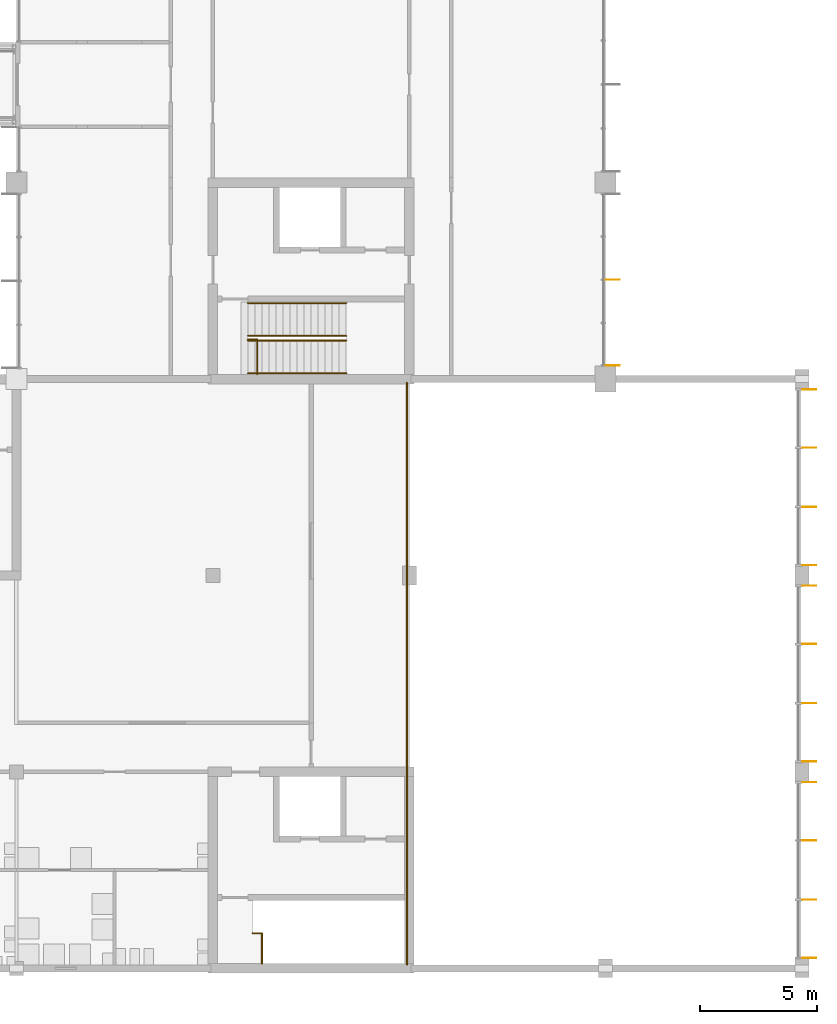
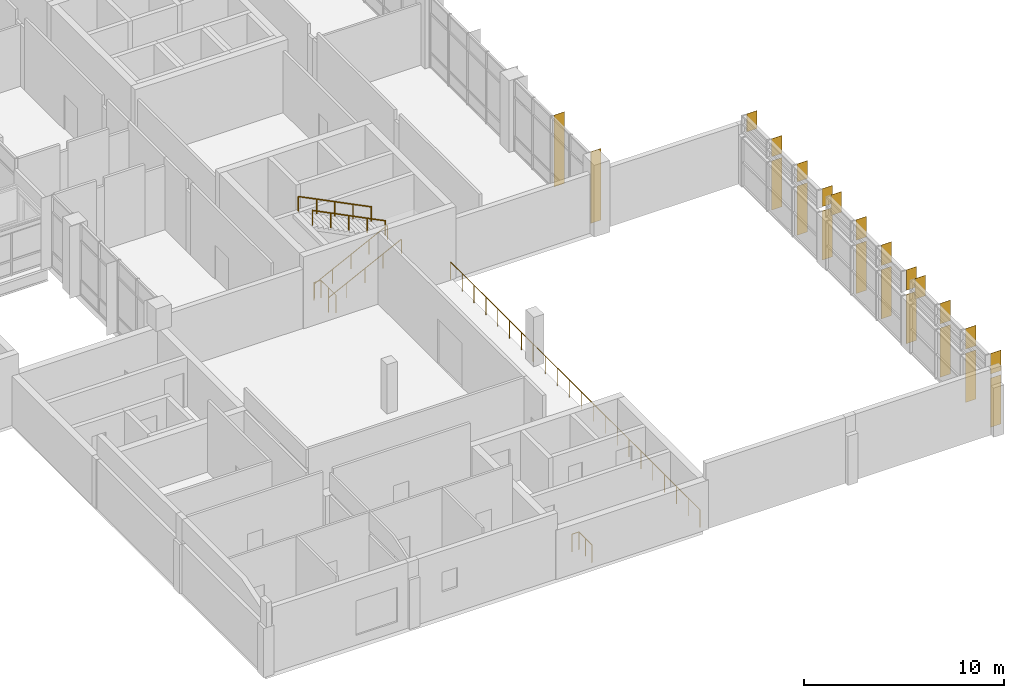
# One storey, part 62 of 70: 23 shading devices, 9 railings.
"""IFC4 building model written with IfcOpenShell, lengths in metres."""

from ifc_helpers import new_model, si_unit, direction, frame, origin, origin_2d, place, context, subcontext, project, spatial, rectangle, circle, extrude, material, layer, layer_set, type_object, element, save


model = new_model("IFC4")

# Units and contexts
model_context = context("Model", 3, precision=1e-05, world=origin(), true_north=direction((0.0, 1.0)))
body_context = subcontext(model_context, "Body", "Model", "MODEL_VIEW")
ifc_project = project(units=[si_unit("LENGTHUNIT", "METRE"), si_unit("AREAUNIT", "SQUARE_METRE"), si_unit("VOLUMEUNIT", "CUBIC_METRE"), si_unit("PLANEANGLEUNIT", "RADIAN"), si_unit("MASSUNIT", "GRAM", prefix="KILO")], contexts=[model_context])

# Site, building, storey
site_placement = place(None, origin())
site = spatial("IfcSite", under=ifc_project, at=site_placement, CompositionType="ELEMENT")
building_placement = place(site_placement, origin())
building = spatial("IfcBuilding", under=site, at=building_placement, Name="Hlaing Beacon Police Headquarters", CompositionType="ELEMENT")
storey_placement = place(building_placement, frame((0.0, 0.0, 5.39990234375)))
storey = spatial("IfcBuildingStorey", under=building, at=storey_placement, Name="L01", CompositionType="ELEMENT", Elevation=5.39990234375)

# Shading devices
ifc_material_1 = material(Name="Aluminium 6063-T5 anodised", Category="aluminium")
ifc_layer = layer(ifc_material_1, 0.011962890625)
ifc_layer_set = layer_set([ifc_layer], Name="Aluminium 6063-T5 anodised")
shading_device_type = type_object("IfcShadingDeviceType", Name="Aluminium fin 12x600", PredefinedType="JALOUSIE", material=ifc_layer_set)
for number, where, z_axis, x_axis, name in (
    (1, (134.699951171875, 8.840087890625, 0.0), (0.0, 0.0, 1.0), (0.0, 1.0, 0.0), "Fin L01 E001.0"),
    (2, (134.699951171875, 11.333251953125, 0.0), (0.0, 0.0, 1.0), (0.0, 1.0, 0.0), "Fin L01 E001.1"),
    (3, (134.699951171875, 13.86669921875, 0.0), (0.0, 0.0, 1.0), (0.0, 1.0, 0.0), "Fin L01 E001.2"),
):
    element("IfcShadingDevice", number, at=place(storey_placement, frame(where, z_axis=z_axis, x_axis=x_axis)), inside=storey, type_object=shading_device_type, Name=name, PredefinedType="JALOUSIE", context=body_context, shape_type="SweptSolid", body=[
        extrude(rectangle(XDim=0.011962890625, YDim=0.60009765625, at=origin_2d()), origin(), (0.0, 0.0, 1.0), 3.0),
    ])
for number, where, z_axis, x_axis, name in (
    (4, (134.699951171875, 8.840087890625, 3.254150390625), (0.0, 0.0, 1.0), (0.0, 1.0, 0.0), "Fin L01 E002.0"),
    (5, (134.699951171875, 11.333251953125, 3.254150390625), (0.0, 0.0, 1.0), (0.0, 1.0, 0.0), "Fin L01 E002.1"),
    (6, (134.699951171875, 13.86669921875, 3.254150390625), (0.0, 0.0, 1.0), (0.0, 1.0, 0.0), "Fin L01 E002.2"),
    (7, (134.699951171875, 16.360107421875, 3.254150390625), (0.0, 0.0, 1.0), (0.0, 1.0, 0.0), "Fin L01 E002.3"),
):
    element("IfcShadingDevice", number, at=place(storey_placement, frame(where, z_axis=z_axis, x_axis=x_axis)), inside=storey, type_object=shading_device_type, Name=name, PredefinedType="JALOUSIE", context=body_context, shape_type="SweptSolid", body=[
        extrude(rectangle(XDim=0.011962890625, YDim=0.60009765625, at=origin_2d()), origin(), (0.0, 0.0, 1.0), 1.24609375),
    ])
for number, where, z_axis, x_axis, name in (
    (8, (134.699951171875, 17.239990234375, 0.0), (0.0, 0.0, 1.0), (0.0, 1.0, 0.0), "Fin L01 E003.0"),
    (9, (134.699951171875, 19.7333984375, 0.0), (0.0, 0.0, 1.0), (0.0, 1.0, 0.0), "Fin L01 E003.1"),
    (10, (134.699951171875, 22.2666015625, 0.0), (0.0, 0.0, 1.0), (0.0, 1.0, 0.0), "Fin L01 E003.2"),
):
    element("IfcShadingDevice", number, at=place(storey_placement, frame(where, z_axis=z_axis, x_axis=x_axis)), inside=storey, type_object=shading_device_type, Name=name, PredefinedType="JALOUSIE", context=body_context, shape_type="SweptSolid", body=[
        extrude(rectangle(XDim=0.011962890625, YDim=0.60009765625, at=origin_2d()), origin(), (0.0, 0.0, 1.0), 3.0),
    ])
for number, where, z_axis, x_axis, name in (
    (11, (134.699951171875, 17.239990234375, 3.254150390625), (0.0, 0.0, 1.0), (0.0, 1.0, 0.0), "Fin L01 E004.0"),
    (12, (134.699951171875, 19.7333984375, 3.254150390625), (0.0, 0.0, 1.0), (0.0, 1.0, 0.0), "Fin L01 E004.1"),
    (13, (134.699951171875, 22.2666015625, 3.254150390625), (0.0, 0.0, 1.0), (0.0, 1.0, 0.0), "Fin L01 E004.2"),
    (14, (134.699951171875, 24.760009765625, 3.254150390625), (0.0, 0.0, 1.0), (0.0, 1.0, 0.0), "Fin L01 E004.3"),
):
    element("IfcShadingDevice", number, at=place(storey_placement, frame(where, z_axis=z_axis, x_axis=x_axis)), inside=storey, type_object=shading_device_type, Name=name, PredefinedType="JALOUSIE", context=body_context, shape_type="SweptSolid", body=[
        extrude(rectangle(XDim=0.011962890625, YDim=0.60009765625, at=origin_2d()), origin(), (0.0, 0.0, 1.0), 1.24609375),
    ])
for number, where, z_axis, x_axis, name in (
    (15, (134.699951171875, 25.639892578125, 0.0), (0.0, 0.0, 1.0), (0.0, 1.0, 0.0), "Fin L01 E005.0"),
    (16, (134.699951171875, 28.13330078125, 0.0), (0.0, 0.0, 1.0), (0.0, 1.0, 0.0), "Fin L01 E005.1"),
    (17, (134.699951171875, 30.666748046875, 0.0), (0.0, 0.0, 1.0), (0.0, 1.0, 0.0), "Fin L01 E005.2"),
):
    element("IfcShadingDevice", number, at=place(storey_placement, frame(where, z_axis=z_axis, x_axis=x_axis)), inside=storey, type_object=shading_device_type, Name=name, PredefinedType="JALOUSIE", context=body_context, shape_type="SweptSolid", body=[
        extrude(rectangle(XDim=0.011962890625, YDim=0.60009765625, at=origin_2d()), origin(), (0.0, 0.0, 1.0), 3.0),
    ])
for number, where, z_axis, x_axis, name in (
    (18, (134.699951171875, 25.639892578125, 3.254150390625), (0.0, 0.0, 1.0), (0.0, 1.0, 0.0), "Fin L01 E006.0"),
    (19, (134.699951171875, 28.13330078125, 3.254150390625), (0.0, 0.0, 1.0), (0.0, 1.0, 0.0), "Fin L01 E006.1"),
    (20, (134.699951171875, 30.666748046875, 3.254150390625), (0.0, 0.0, 1.0), (0.0, 1.0, 0.0), "Fin L01 E006.2"),
    (21, (134.699951171875, 33.159912109375, 3.254150390625), (0.0, 0.0, 1.0), (0.0, 1.0, 0.0), "Fin L01 E006.3"),
):
    element("IfcShadingDevice", number, at=place(storey_placement, frame(where, z_axis=z_axis, x_axis=x_axis)), inside=storey, type_object=shading_device_type, Name=name, PredefinedType="JALOUSIE", context=body_context, shape_type="SweptSolid", body=[
        extrude(rectangle(XDim=0.011962890625, YDim=0.60009765625, at=origin_2d()), origin(), (0.0, 0.0, 1.0), 1.0908203125),
    ])
for number, where, z_axis, x_axis, name in (
    (22, (126.300048828125, 34.179931640625, 0.0), (0.0, 0.0, 1.0), (0.0, 1.0, 0.0), "Fin L01 E019.0"),
    (23, (126.300048828125, 37.85009765625, 0.0), (0.0, 0.0, 1.0), (0.0, 1.0, 0.0), "Fin L01 E019.2"),
):
    element("IfcShadingDevice", number, at=place(storey_placement, frame(where, z_axis=z_axis, x_axis=x_axis)), inside=storey, type_object=shading_device_type, Name=name, PredefinedType="JALOUSIE", context=body_context, shape_type="SweptSolid", body=[
        extrude(rectangle(XDim=0.011962890625, YDim=0.60009765625, at=origin_2d()), origin(), (0.0, 0.0, 1.0), 4.3701171875),
    ])

# Railings
ifc_material_2 = material(Name="Stainless steel", Category="steel")
railing_type_1 = type_object("IfcRailingType", Name="Guard 1100", PredefinedType="GUARDRAIL", material=ifc_material_2)
railing_1_placement = place(storey_placement, frame((117.5, 8.550048828125, 0.0)))
element("IfcRailing", 24, at=railing_1_placement, inside=storey, type_object=railing_type_1, Name="Guard L01 1", PredefinedType="GUARDRAIL", context=body_context, shape_type="SweptSolid", body=[
    extrude(circle(Radius=0.02392578125, at=origin_2d()), frame((0.0, 0.0, 1.076171875), z_axis=(0.0, 1.0, 0.0), x_axis=(-1.0, 0.0, 0.0)), (0.0, 0.0, 1.0), 8.25),
    extrude(circle(Radius=0.02099609375, at=origin_2d()), origin(), (0.0, 0.0, 1.0), 1.052001953125),
    extrude(circle(Radius=0.02099609375, at=origin_2d()), frame((0.0, 1.178466796875, 0.0)), (0.0, 0.0, 1.0), 1.052001953125),
    extrude(circle(Radius=0.02099609375, at=origin_2d()), frame((0.0, 2.357177734375, 0.0)), (0.0, 0.0, 1.0), 1.052001953125),
    extrude(circle(Radius=0.02099609375, at=origin_2d()), frame((0.0, 3.53564453125, 0.0)), (0.0, 0.0, 1.0), 1.052001953125),
    extrude(circle(Radius=0.02099609375, at=origin_2d()), frame((0.0, 4.71435546875, 0.0)), (0.0, 0.0, 1.0), 1.052001953125),
    extrude(circle(Radius=0.02099609375, at=origin_2d()), frame((0.0, 5.892822265625, 0.0)), (0.0, 0.0, 1.0), 1.052001953125),
    extrude(circle(Radius=0.02099609375, at=origin_2d()), frame((0.0, 7.071533203125, 0.0)), (0.0, 0.0, 1.0), 1.052001953125),
    extrude(circle(Radius=0.02099609375, at=origin_2d()), frame((0.0, 8.25, 0.0)), (0.0, 0.0, 1.0), 1.052001953125),
])
railing_2_placement = place(storey_placement, frame((117.5, 16.800048828125, 0.0)))
element("IfcRailing", 25, at=railing_2_placement, inside=storey, type_object=railing_type_1, Name="Guard L01 2", PredefinedType="GUARDRAIL", context=body_context, shape_type="SweptSolid", body=[
    extrude(circle(Radius=0.02392578125, at=origin_2d()), frame((0.0, 0.0, 1.076171875), z_axis=(0.0, 1.0, 0.0), x_axis=(-1.0, 0.0, 0.0)), (0.0, 0.0, 1.0), 8.39990234375),
    extrude(circle(Radius=0.02099609375, at=origin_2d()), origin(), (0.0, 0.0, 1.0), 1.052001953125),
    extrude(circle(Radius=0.02099609375, at=origin_2d()), frame((0.0, 1.199951171875, 0.0)), (0.0, 0.0, 1.0), 1.052001953125),
    extrude(circle(Radius=0.02099609375, at=origin_2d()), frame((0.0, 2.39990234375, 0.0)), (0.0, 0.0, 1.0), 1.052001953125),
    extrude(circle(Radius=0.02099609375, at=origin_2d()), frame((0.0, 3.599853515625, 0.0)), (0.0, 0.0, 1.0), 1.052001953125),
    extrude(circle(Radius=0.02099609375, at=origin_2d()), frame((0.0, 4.800048828125, 0.0)), (0.0, 0.0, 1.0), 1.052001953125),
    extrude(circle(Radius=0.02099609375, at=origin_2d()), frame((0.0, 6.0, 0.0)), (0.0, 0.0, 1.0), 1.052001953125),
    extrude(circle(Radius=0.02099609375, at=origin_2d()), frame((0.0, 7.199951171875, 0.0)), (0.0, 0.0, 1.0), 1.052001953125),
    extrude(circle(Radius=0.02099609375, at=origin_2d()), frame((0.0, 8.39990234375, 0.0)), (0.0, 0.0, 1.0), 1.052001953125),
])
railing_3_placement = place(storey_placement, frame((117.5, 25.199951171875, 0.0)))
element("IfcRailing", 26, at=railing_3_placement, inside=storey, type_object=railing_type_1, Name="Guard L01 3", PredefinedType="GUARDRAIL", context=body_context, shape_type="SweptSolid", body=[
    extrude(circle(Radius=0.02392578125, at=origin_2d()), frame((0.0, 0.0, 1.076171875), z_axis=(0.0, 1.0, 0.0), x_axis=(-1.0, 0.0, 0.0)), (0.0, 0.0, 1.0), 8.25),
    extrude(circle(Radius=0.02099609375, at=origin_2d()), origin(), (0.0, 0.0, 1.0), 1.052001953125),
    extrude(circle(Radius=0.02099609375, at=origin_2d()), frame((0.0, 1.178466796875, 0.0)), (0.0, 0.0, 1.0), 1.052001953125),
    extrude(circle(Radius=0.02099609375, at=origin_2d()), frame((0.0, 2.357177734375, 0.0)), (0.0, 0.0, 1.0), 1.052001953125),
    extrude(circle(Radius=0.02099609375, at=origin_2d()), frame((0.0, 3.53564453125, 0.0)), (0.0, 0.0, 1.0), 1.052001953125),
    extrude(circle(Radius=0.02099609375, at=origin_2d()), frame((0.0, 4.71435546875, 0.0)), (0.0, 0.0, 1.0), 1.052001953125),
    extrude(circle(Radius=0.02099609375, at=origin_2d()), frame((0.0, 5.892822265625, 0.0)), (0.0, 0.0, 1.0), 1.052001953125),
    extrude(circle(Radius=0.02099609375, at=origin_2d()), frame((0.0, 7.071533203125, 0.0)), (0.0, 0.0, 1.0), 1.052001953125),
    extrude(circle(Radius=0.02099609375, at=origin_2d()), frame((0.0, 8.25, 0.0)), (0.0, 0.0, 1.0), 1.052001953125),
])
ifc_material_3 = material(Name="Stainless steel", Category="steel")
railing_type_2 = type_object("IfcRailingType", Name="Stair guard 1100", PredefinedType="GUARDRAIL", material=ifc_material_3)
railing_4_placement = place(storey_placement, frame((111.300048828125, 8.60009765625, 0.0)))
element("IfcRailing", 27, at=railing_4_placement, inside=storey, type_object=railing_type_2, Name="Guard ST-H", PredefinedType="GUARDRAIL", context=body_context, shape_type="SweptSolid", body=[
    extrude(circle(Radius=0.02392578125, at=origin_2d()), frame((0.0, 0.0, 1.076171875), z_axis=(0.0, 1.0, 0.0), x_axis=(-1.0, 0.0, 0.0)), (0.0, 0.0, 1.0), 1.2998046875),
    extrude(circle(Radius=0.02392578125, at=origin_2d()), frame((0.0, 1.2998046875, 1.076171875), z_axis=(-1.0, 0.0, 0.0), x_axis=(0.0, -1.0, 0.0)), (0.0, 0.0, 1.0), 0.400146484375),
    extrude(circle(Radius=0.02099609375, at=origin_2d()), origin(), (0.0, 0.0, 1.0), 1.052001953125),
    extrude(circle(Radius=0.02099609375, at=origin_2d()), frame((0.0, 0.64990234375, 0.0)), (0.0, 0.0, 1.0), 1.052001953125),
    extrude(circle(Radius=0.02099609375, at=origin_2d()), frame((0.0, 1.2998046875, 0.0)), (0.0, 0.0, 1.0), 1.052001953125),
    extrude(circle(Radius=0.02099609375, at=origin_2d()), frame((-0.400146484375, 1.2998046875, 0.0)), (0.0, 0.0, 1.0), 1.052001953125),
])
railing_5_placement = place(storey_placement, frame((111.10009765625, 33.800048828125, 0.0)))
element("IfcRailing", 28, at=railing_5_placement, inside=storey, type_object=railing_type_2, Name="Guard ST-L", PredefinedType="GUARDRAIL", context=body_context, shape_type="SweptSolid", body=[
    extrude(circle(Radius=0.02392578125, at=origin_2d()), frame((0.0, 0.0, 1.076171875), z_axis=(0.0, 1.0, 0.0), x_axis=(-1.0, 0.0, 0.0)), (0.0, 0.0, 1.0), 1.5),
    extrude(circle(Radius=0.02392578125, at=origin_2d()), frame((0.0, 1.5, 1.076171875), z_axis=(-1.0, 0.0, 0.0), x_axis=(0.0, -1.0, 0.0)), (0.0, 0.0, 1.0), 0.400146484375),
    extrude(circle(Radius=0.02099609375, at=origin_2d()), origin(), (0.0, 0.0, 1.0), 1.052001953125),
    extrude(circle(Radius=0.02099609375, at=origin_2d()), frame((0.0, 0.75, 0.0)), (0.0, 0.0, 1.0), 1.052001953125),
    extrude(circle(Radius=0.02099609375, at=origin_2d()), frame((0.0, 1.5, 0.0)), (0.0, 0.0, 1.0), 1.052001953125),
    extrude(circle(Radius=0.02099609375, at=origin_2d()), frame((-0.400146484375, 1.5, 0.0)), (0.0, 0.0, 1.0), 1.052001953125),
])
ifc_material_4 = material(Name="Stainless steel", Category="steel")
railing_type_3 = type_object("IfcRailingType", Name="Stair handrail 900", PredefinedType="HANDRAIL", material=ifc_material_4)
for number, where, name in (
    (29, (110.699951171875, 33.85009765625, 0.150146484375), "Handrail ST-L"),
    (30, (110.699951171875, 35.25, 0.150146484375), "Handrail ST-L"),
):
    element("IfcRailing", number, at=place(storey_placement, frame(where)), inside=storey, type_object=railing_type_3, Name=name, PredefinedType="HANDRAIL", context=body_context, shape_type="SweptSolid", body=[
        extrude(circle(Radius=0.02392578125, at=origin_2d()), frame((0.0, 0.0, 0.8759765625), z_axis=(0.894437589381, 0.0, 0.447192798132), x_axis=(0.0, 1.0, 0.0)), (0.0, 0.0, 1.0), 4.695556640625),
        extrude(circle(Radius=0.02099609375, at=origin_2d()), origin(), (0.0, 0.0, 1.0), 0.851806640625),
        extrude(circle(Radius=0.02099609375, at=origin_2d()), frame((1.050048828125, 0.0, 0.52490234375)), (0.0, 0.0, 1.0), 0.851806640625),
        extrude(circle(Radius=0.02099609375, at=origin_2d()), frame((2.10009765625, 0.0, 1.0498046875)), (0.0, 0.0, 1.0), 0.851806640625),
        extrude(circle(Radius=0.02099609375, at=origin_2d()), frame((3.14990234375, 0.0, 1.574951171875)), (0.0, 0.0, 1.0), 0.851806640625),
        extrude(circle(Radius=0.02099609375, at=origin_2d()), frame((4.199951171875, 0.0, 2.099853515625)), (0.0, 0.0, 1.0), 0.851806640625),
    ])
for number, where, name in (
    (31, (114.89990234375, 35.449951171875, 2.400146484375), "Handrail ST-L"),
    (32, (114.89990234375, 36.85009765625, 2.400146484375), "Handrail ST-L"),
):
    element("IfcRailing", number, at=place(storey_placement, frame(where)), inside=storey, type_object=railing_type_3, Name=name, PredefinedType="HANDRAIL", context=body_context, shape_type="SweptSolid", body=[
        extrude(circle(Radius=0.02392578125, at=origin_2d()), frame((0.0, 0.0, 0.8759765625), z_axis=(-0.894437589381, 0.0, 0.447192798132), x_axis=(0.0, -1.0, 0.0)), (0.0, 0.0, 1.0), 4.695556640625),
        extrude(circle(Radius=0.02099609375, at=origin_2d()), origin(), (0.0, 0.0, 1.0), 0.851806640625),
        extrude(circle(Radius=0.02099609375, at=origin_2d()), frame((-1.050048828125, 0.0, 0.52490234375)), (0.0, 0.0, 1.0), 0.851806640625),
        extrude(circle(Radius=0.02099609375, at=origin_2d()), frame((-2.10009765625, 0.0, 1.0498046875)), (0.0, 0.0, 1.0), 0.851806640625),
        extrude(circle(Radius=0.02099609375, at=origin_2d()), frame((-3.14990234375, 0.0, 1.574951171875)), (0.0, 0.0, 1.0), 0.851806640625),
        extrude(circle(Radius=0.02099609375, at=origin_2d()), frame((-4.199951171875, 0.0, 2.099853515625)), (0.0, 0.0, 1.0), 0.851806640625),
    ])

save(model, "model.ifc")
